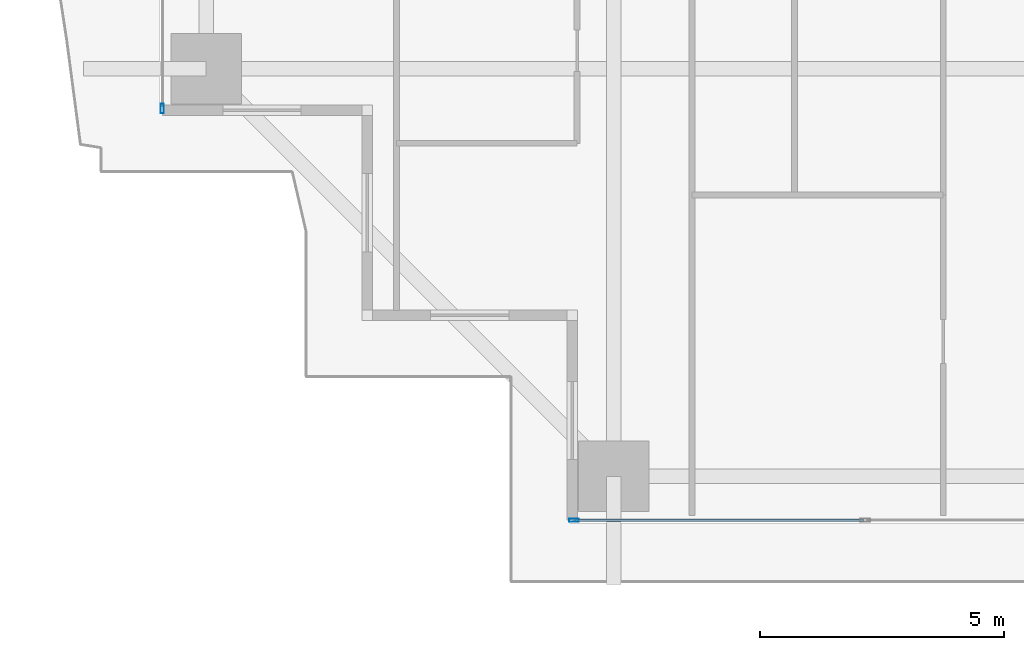
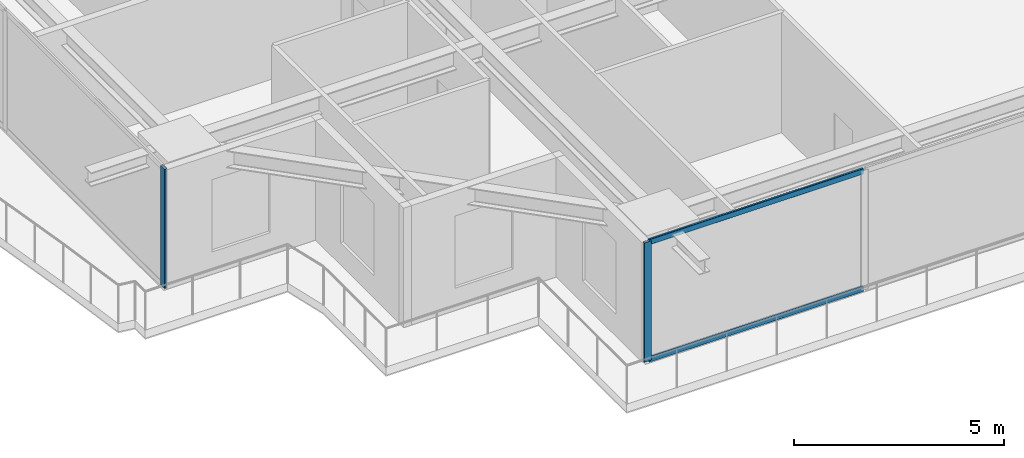
# One storey, part 2 of 36: 4 members, 2 elements without a shape of their own.
"""IFC4 building model written with IfcOpenShell, lengths in metres."""

from ifc_helpers import new_model, si_unit, direction, frame, origin, origin_2d, place, context, subcontext, project, spatial, hollow_rectangle, extrude, source, transform, mapped, material, layer, layer_set, material_profile, profile_set, type_object, element, aggregate, save


model = new_model("IFC4")

# Units and contexts
model_context = context("Model", 3, precision=1e-05, world=origin(), true_north=direction((0.0, 1.0)))
body_context = subcontext(model_context, "Body", "Model", "MODEL_VIEW")
ifc_project = project(units=[si_unit("LENGTHUNIT", "METRE"), si_unit("AREAUNIT", "SQUARE_METRE"), si_unit("VOLUMEUNIT", "CUBIC_METRE"), si_unit("PLANEANGLEUNIT", "RADIAN"), si_unit("MASSUNIT", "GRAM", prefix="KILO")], contexts=[model_context])

# Site, building, storey
site_placement = place(None, origin())
site = spatial("IfcSite", under=ifc_project, at=site_placement, CompositionType="ELEMENT")
building_placement = place(site_placement, origin())
building = spatial("IfcBuilding", under=site, at=building_placement, Name="Serunith Strait Residences", CompositionType="ELEMENT")
storey_placement = place(building_placement, frame((0.0, 0.0, 41.699951171875)))
storey = spatial("IfcBuildingStorey", under=building, at=storey_placement, Name="L09", CompositionType="ELEMENT", Elevation=41.699951171875)

# Curtain wall, member
ifc_material = material(Name="Pale-Champagne Anodised Aluminium", Category="aluminium")
ifc_layer = layer(ifc_material, 0.199951171875, Name="Pale-Champagne Anodised Aluminium")
ifc_layer_set = layer_set([ifc_layer], Name="Pale-Champagne Anodised Aluminium")
curtain_wall_type = type_object("IfcCurtainWallType", Name="CW-SYS1", PredefinedType="NOTDEFINED", material=ifc_layer_set)
curtain_wall_1_placement = place(storey_placement, origin())
curtain_wall_1 = element("IfcCurtainWall", 1, at=curtain_wall_1_placement, inside=storey, type_object=curtain_wall_type, Name="L09 S Unitised Fritted Curtain Wall", PredefinedType="NOTDEFINED")
ifc_material_profile_1 = material_profile(ifc_material, hollow_rectangle(XDim=0.070068359375, YDim=0.199951171875, WallThickness=0.00390625, InnerFilletRadius=0.006103515625, OuterFilletRadius=0.010009765625, at=origin_2d()), Name="ALU 200x70x4")
ifc_profile_set_1 = profile_set([ifc_material_profile_1], Name="Pale-Champagne Anodised Aluminium")
member_type_1 = type_object("IfcMemberType", Name="CW-SYS1-MULL", PredefinedType="MULLION", material=ifc_profile_set_1)
shared_shape_1 = source(origin(), body_context, "Body", "SweptSolid", [
    extrude(hollow_rectangle(XDim=0.070068359375, YDim=0.199951171875, WallThickness=0.00390625, InnerFilletRadius=0.006103515625, OuterFilletRadius=0.010009765625, at=origin_2d()), origin(), (0.0, 0.0, 1.0), 3.47509765625),
])
member_1_placement = place(storey_placement, frame((14.43505859375, 0.199951171875, 0.0), z_axis=(0.0, 0.0, 1.0), x_axis=(0.0, 1.0, 0.0)))
member_1 = element("IfcMember", 2, at=member_1_placement, type_object=member_type_1, Name="CW-1 mullion 1", PredefinedType="MULLION", context=body_context, shape_type="MappedRepresentation", body=[
    mapped(shared_shape_1, transform((0.0, 0.0, 0.0), scale=1.0)),
])

curtain_wall_2_placement = place(storey_placement, origin())
curtain_wall_2 = element("IfcCurtainWall", 3, at=curtain_wall_2_placement, inside=storey, type_object=curtain_wall_type, Name="L09 W Unitised Fritted Curtain Wall", PredefinedType="NOTDEFINED")
member_2_placement = place(storey_placement, frame((6.0, 8.635009765625, 0.0), z_axis=(0.0, 0.0, 1.0), x_axis=(1.0, 0.0, 0.0)))
member_2 = element("IfcMember", 4, at=member_2_placement, type_object=member_type_1, Name="CW-1 mullion 3", PredefinedType="MULLION", context=body_context, shape_type="MappedRepresentation", body=[
    mapped(shared_shape_1, transform((0.0, 0.0, 0.0), scale=1.0)),
])
aggregate(curtain_wall_2, [member_2])

# Member
ifc_material_profile_2 = material_profile(ifc_material, hollow_rectangle(XDim=0.06005859375, YDim=0.159912109375, WallThickness=0.00341796875, InnerFilletRadius=0.00537109375, OuterFilletRadius=0.0087890625, at=origin_2d()), Name="ALU 160x60x3.5")
ifc_profile_set_2 = profile_set([ifc_material_profile_2], Name="Pale-Champagne Anodised Aluminium")
member_type_2 = type_object("IfcMemberType", Name="CW-SYS1-TRAN", PredefinedType="USERDEFINED", material=ifc_profile_set_2)
shared_shape_2 = source(origin(), body_context, "Body", "SweptSolid", [
    extrude(hollow_rectangle(XDim=0.06005859375, YDim=0.159912109375, WallThickness=0.00341796875, InnerFilletRadius=0.00537109375, OuterFilletRadius=0.0087890625, at=origin_2d()), origin(), (0.0, 0.0, 1.0), 5.89501953125),
])
member_3_placement = place(storey_placement, frame((14.469970703125, 0.199951171875, 0.030029296875), z_axis=(1.0, 0.0, 0.0), x_axis=(0.0, 1.0, 0.0)))
member_3 = element("IfcMember", 5, at=member_3_placement, type_object=member_type_2, Name="CW-1 transom 1.1", ObjectType="TRANSOM", PredefinedType="USERDEFINED", context=body_context, shape_type="MappedRepresentation", body=[
    mapped(shared_shape_2, transform((0.0, 0.0, 0.0), scale=1.0)),
])

member_4_placement = place(storey_placement, frame((14.469970703125, 0.199951171875, 3.445068359375), z_axis=(1.0, 0.0, 0.0), x_axis=(0.0, 1.0, 0.0)))
member_4 = element("IfcMember", 6, at=member_4_placement, type_object=member_type_2, Name="CW-1 transom 1.2", ObjectType="TRANSOM", PredefinedType="USERDEFINED", context=body_context, shape_type="MappedRepresentation", body=[
    mapped(shared_shape_2, transform((0.0, 0.0, 0.0), scale=1.0)),
])

aggregate(curtain_wall_1, [member_1, member_3, member_4])

save(model, "model.ifc")
